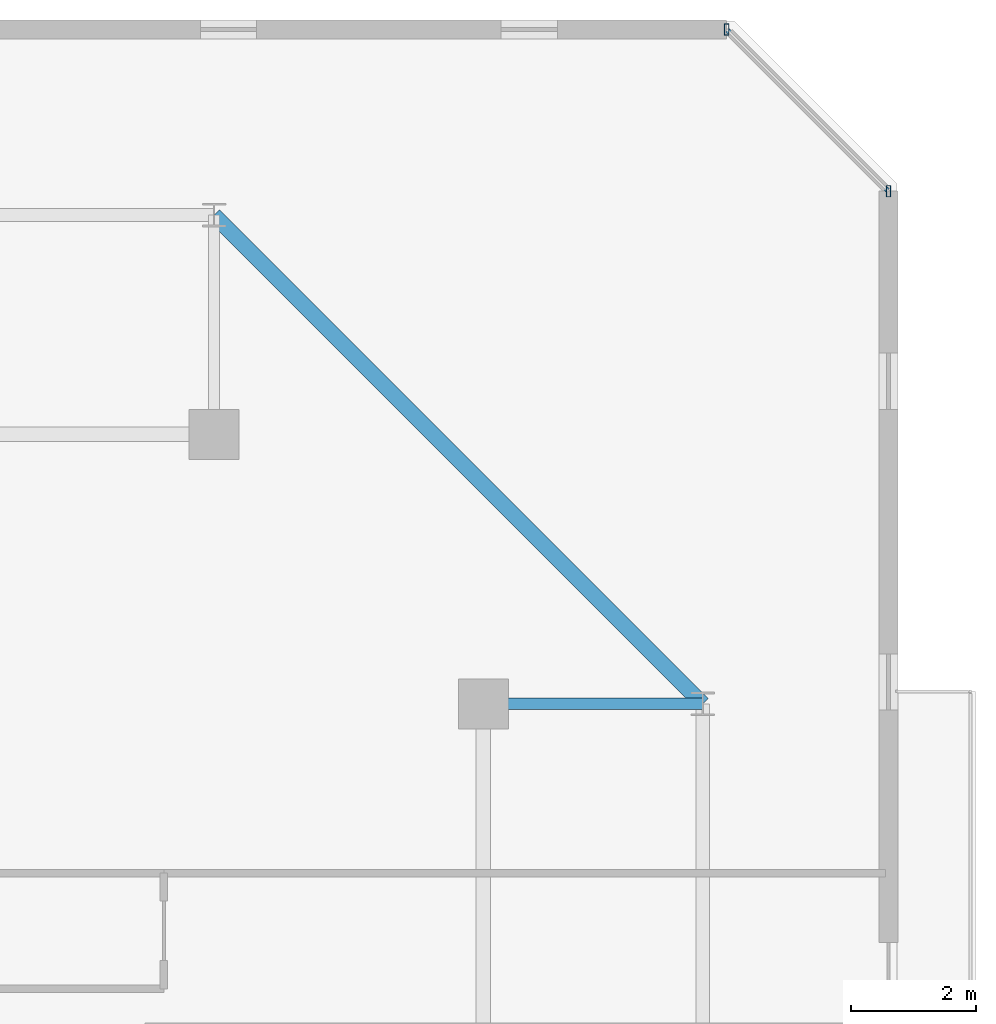
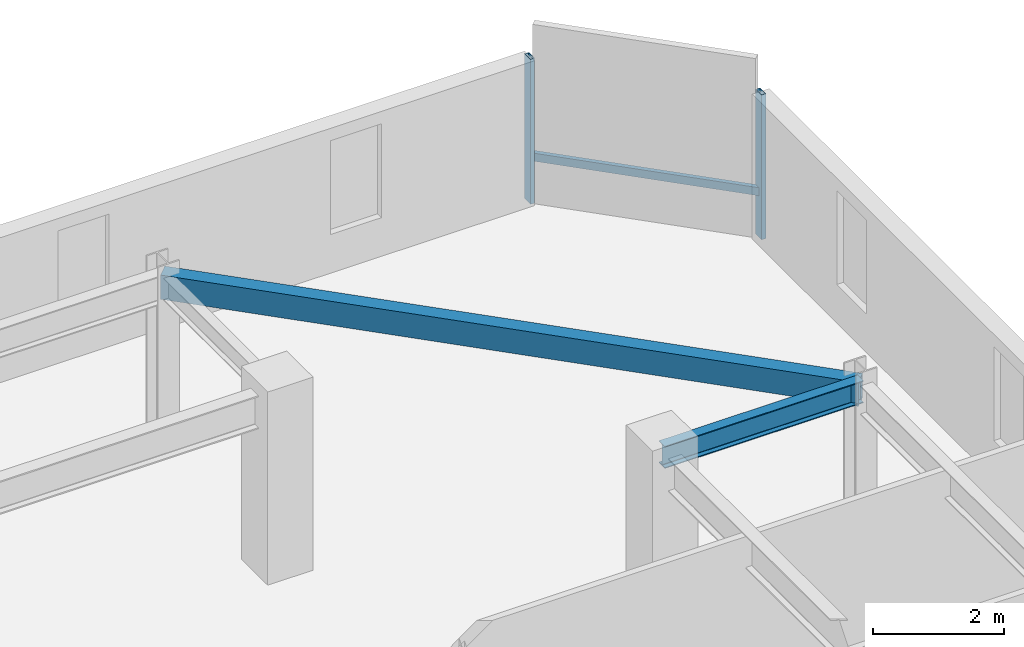
# One storey, part 19 of 34: 3 members, 2 beams, 1 element without a shape of its own.
"""IFC4 building model written with IfcOpenShell, lengths in metres."""

from ifc_helpers import new_model, si_unit, direction, frame, origin, origin_2d, place, context, subcontext, project, spatial, hollow_rectangle, i_section, extrude, material, material_profile, profile_set, type_object, element, aggregate, save


model = new_model("IFC4")

# Units and contexts
model_context = context("Model", 3, precision=1e-05, world=origin(), true_north=direction((0.0, 1.0)))
body_context = subcontext(model_context, "Body", "Model", "MODEL_VIEW")
ifc_project = project(units=[si_unit("LENGTHUNIT", "METRE"), si_unit("AREAUNIT", "SQUARE_METRE"), si_unit("VOLUMEUNIT", "CUBIC_METRE"), si_unit("PLANEANGLEUNIT", "RADIAN"), si_unit("MASSUNIT", "GRAM", prefix="KILO")], contexts=[model_context])

# Site, building, storey
site_placement = place(None, origin())
site = spatial("IfcSite", under=ifc_project, at=site_placement, CompositionType="ELEMENT")
building_placement = place(site_placement, origin())
building = spatial("IfcBuilding", under=site, at=building_placement, Name="Thornwick Lancets Civic Towers", CompositionType="ELEMENT")
storey_placement = place(building_placement, frame((0.0, 0.0, 258.300048828125)))
storey = spatial("IfcBuildingStorey", under=building, at=storey_placement, Name="L69", CompositionType="ELEMENT", Elevation=258.300048828125)

# Beams
ifc_material_1 = material(Name="Steel S355JR", Category="steel")
ifc_material_profile_1 = material_profile(ifc_material_1, i_section(OverallWidth=0.179443359375, OverallDepth=0.412841796875, WebThickness=0.009521484375, FlangeThickness=0.01611328125, FilletRadius=0.01025390625, at=origin_2d()), Name="UKB 406x178x74")
ifc_profile_set_1 = profile_set([ifc_material_profile_1], Name="Steel S355JR")
beam_type_1 = type_object("IfcBeamType", Name="BM_JOIST_406_74", PredefinedType="JOIST", material=ifc_profile_set_1)
beam_1_placement = place(storey_placement, frame((105.800048828125, 40.0, 3.153564453125), z_axis=(1.0, 0.0, 0.0), x_axis=(0.0, 1.0, 0.0)))
element("IfcBeam", 1, at=beam_1_placement, inside=storey, type_object=beam_type_1, Name="BM-RAD-L69-B03", PredefinedType="JOIST", context=body_context, shape_type="SweptSolid", body=[
    extrude(i_section(OverallWidth=0.179443359375, OverallDepth=0.412841796875, WebThickness=0.009521484375, FlangeThickness=0.01611328125, FilletRadius=0.01025390625, at=origin_2d()), origin(), (0.0, 0.0, 1.0), 3.5),
])
ifc_material_profile_2 = material_profile(ifc_material_1, hollow_rectangle(XDim=0.25, YDim=0.449951171875, WallThickness=0.01611328125, at=origin_2d()), Name="RHS 450x250x16")
ifc_profile_set_2 = profile_set([ifc_material_profile_2], Name="Steel S355JR")
beam_type_2 = type_object("IfcBeamType", Name="BM_RING_RHS450", PredefinedType="BEAM", material=ifc_profile_set_2)
beam_2_placement = place(storey_placement, frame((109.300048828125, 40.0, 3.135009765625), z_axis=(-0.707106781187, 0.707106781187, 0.0), x_axis=(-0.707106781187, -0.707106781187, 0.0)))
element("IfcBeam", 2, at=beam_2_placement, inside=storey, type_object=beam_type_2, Name="BM-CHAMF-L69-B-C0", PredefinedType="BEAM", context=body_context, shape_type="SweptSolid", body=[
    extrude(hollow_rectangle(XDim=0.25, YDim=0.449951171875, WallThickness=0.01611328125, at=origin_2d()), origin(), (0.0, 0.0, 1.0), 11.031005859375),
])

# Curtain wall, members
ifc_material_2 = material(Name="High-zone chamfered-corner unitised glass curtain wall", Category="glass")
curtain_wall_type = type_object("IfcCurtainWallType", Name="CW_SYS_05", PredefinedType="NOTDEFINED", material=ifc_material_2)
curtain_wall_placement = place(storey_placement, origin())
curtain_wall = element("IfcCurtainWall", 3, at=curtain_wall_placement, inside=storey, type_object=curtain_wall_type, Name="L69 Curtain Wall CW-L69-B-E3", PredefinedType="NOTDEFINED")
ifc_material_3 = material(Name="Thermally broken bronze aluminium S355", Category="steel")
ifc_material_profile_3 = material_profile(ifc_material_3, hollow_rectangle(XDim=0.074951171875, YDim=0.179931640625, WallThickness=0.006103515625, at=origin_2d()), Name="RHS 180x75x6")
ifc_profile_set_3 = profile_set([ifc_material_profile_3], Name="Thermally broken bronze aluminium S355")
member_type_1 = type_object("IfcMemberType", Name="CW_MUL_180", PredefinedType="MULLION", material=ifc_profile_set_3)
member_1_placement = place(storey_placement, frame((112.2646484375, 48.181396484375, 0.0), z_axis=(0.0, 0.0, 1.0), x_axis=(1.0, 0.0, 0.0)))
member_1 = element("IfcMember", 4, at=member_1_placement, type_object=member_type_1, Name="CW-L69-B-E3 Mullion 0", PredefinedType="MULLION", context=body_context, shape_type="SweptSolid", body=[
    extrude(hollow_rectangle(XDim=0.074951171875, YDim=0.179931640625, WallThickness=0.006103515625, at=origin_2d()), origin(), (0.0, 0.0, 1.0), 2.699951171875),
])
member_2_placement = place(storey_placement, frame((109.681396484375, 50.7646484375, 0.0), z_axis=(0.0, 0.0, 1.0), x_axis=(1.0, 0.0, 0.0)))
member_2 = element("IfcMember", 5, at=member_2_placement, type_object=member_type_1, Name="CW-L69-B-E3 Mullion 1", PredefinedType="MULLION", context=body_context, shape_type="SweptSolid", body=[
    extrude(hollow_rectangle(XDim=0.074951171875, YDim=0.179931640625, WallThickness=0.006103515625, at=origin_2d()), origin(), (0.0, 0.0, 1.0), 2.699951171875),
])
ifc_material_profile_4 = material_profile(ifc_material_3, hollow_rectangle(XDim=0.074951171875, YDim=0.14990234375, WallThickness=0.0048828125, at=origin_2d()), Name="RHS 150x75x5")
ifc_profile_set_4 = profile_set([ifc_material_profile_4], Name="Thermally broken bronze aluminium S355")
member_type_2 = type_object("IfcMemberType", Name="CW_TRN_150", PredefinedType="USERDEFINED", material=ifc_profile_set_4)
member_3_placement = place(storey_placement, frame((112.25048828125, 48.195556640625, 0.849853515625), z_axis=(-0.707106781187, 0.707106781187, 0.0), x_axis=(-0.707106781187, -0.707106781187, 0.0)))
member_3 = element("IfcMember", 6, at=member_3_placement, type_object=member_type_2, Name="CW-L69-B-E3 Transom 0", ObjectType="TRANSOM", PredefinedType="USERDEFINED", context=body_context, shape_type="SweptSolid", body=[
    extrude(hollow_rectangle(XDim=0.074951171875, YDim=0.14990234375, WallThickness=0.0048828125, at=origin_2d()), origin(), (0.0, 0.0, 1.0), 3.61328125),
])
aggregate(curtain_wall, [member_1, member_2, member_3])

save(model, "model.ifc")
